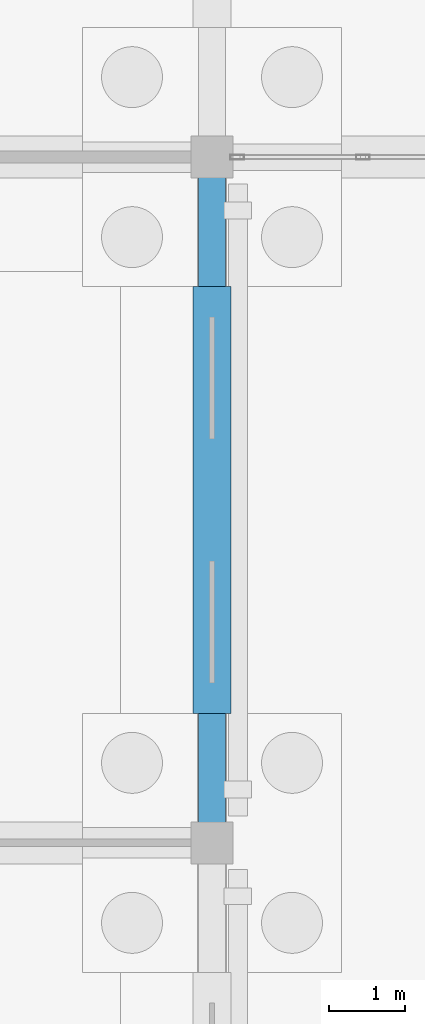
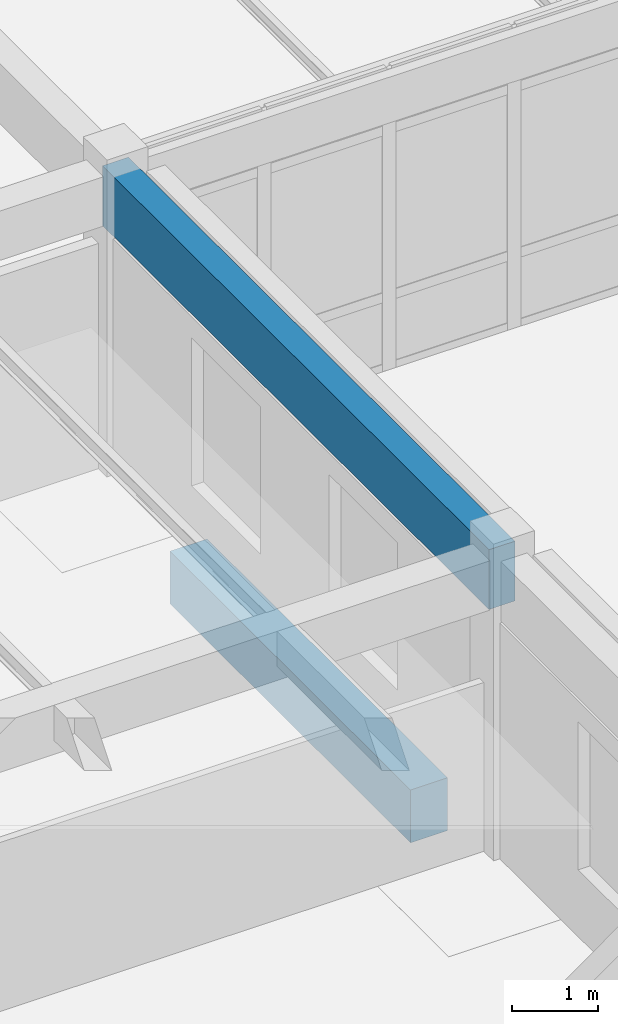
# One storey, part 55 of 186: 2 beams.
"""IFC4 building model written with IfcOpenShell, lengths in metres."""

from ifc_helpers import new_model, si_unit, direction, frame, origin, origin_2d, place, context, subcontext, project, spatial, rectangle, extrude, material, material_profile, profile_set, type_object, element, save


model = new_model("IFC4")

# Units and contexts
model_context = context("Model", 3, precision=1e-05, world=origin(), true_north=direction((0.0, 1.0)))
body_context = subcontext(model_context, "Body", "Model", "MODEL_VIEW")
ifc_project = project(units=[si_unit("LENGTHUNIT", "METRE"), si_unit("AREAUNIT", "SQUARE_METRE"), si_unit("VOLUMEUNIT", "CUBIC_METRE"), si_unit("PLANEANGLEUNIT", "RADIAN"), si_unit("MASSUNIT", "GRAM", prefix="KILO")], contexts=[model_context])

# Site, building, storey
site_placement = place(None, origin())
site = spatial("IfcSite", under=ifc_project, at=site_placement, CompositionType="ELEMENT")
building_placement = place(site_placement, origin())
building = spatial("IfcBuilding", under=site, at=building_placement, Name="Ornek Quay Market", CompositionType="ELEMENT")
storey_placement = place(building_placement, origin())
storey = spatial("IfcBuildingStorey", under=building, at=storey_placement, Name="L00", CompositionType="ELEMENT", Elevation=0.0)

# Beams
ifc_material_1 = material(Name="Concrete C35/45", Category="concrete")
ifc_material_profile_1 = material_profile(ifc_material_1, rectangle(XDim=0.5, YDim=0.75, at=origin_2d()), Name="RC 500x750", Category="concrete")
ifc_profile_set_1 = profile_set([ifc_material_profile_1], Name="Concrete C35/45")
beam_type_1 = type_object("IfcBeamType", Name="BM-GB-500x750", PredefinedType="BEAM", material=ifc_profile_set_1)
beam_1_placement = place(storey_placement, frame((27.0, 84.699951171875, -0.574951171875), z_axis=(0.0, 1.0, 0.0), x_axis=(-1.0, 0.0, 0.0)))
element("IfcBeam", 1, at=beam_1_placement, inside=storey, type_object=beam_type_1, Name="Ground tie beam GB-084", PredefinedType="BEAM", context=body_context, shape_type="SweptSolid", body=[
    extrude(rectangle(XDim=0.5, YDim=0.75, at=origin_2d()), origin(), (0.0, 0.0, 1.0), 5.60009765625),
])
ifc_material_2 = material(Name="Concrete C40/50", Category="concrete")
ifc_material_profile_2 = material_profile(ifc_material_2, rectangle(XDim=0.35009765625, YDim=0.85009765625, at=origin_2d()), Name="RC 350x850", Category="concrete")
ifc_profile_set_2 = profile_set([ifc_material_profile_2], Name="Concrete C40/50")
beam_type_2 = type_object("IfcBeamType", Name="BM-SPN-350x850", PredefinedType="SPANDREL", material=ifc_profile_set_2)
beam_2_placement = place(storey_placement, frame((27.0, 83.0, 3.794921875), z_axis=(0.0, 1.0, 0.0), x_axis=(-1.0, 0.0, 0.0)))
element("IfcBeam", 2, at=beam_2_placement, inside=storey, type_object=beam_type_2, Name="Primary beam B-SP1-067", PredefinedType="SPANDREL", context=body_context, shape_type="SweptSolid", body=[
    extrude(rectangle(XDim=0.35009765625, YDim=0.85009765625, at=origin_2d()), origin(), (0.0, 0.0, 1.0), 9.0),
])

save(model, "model.ifc")
